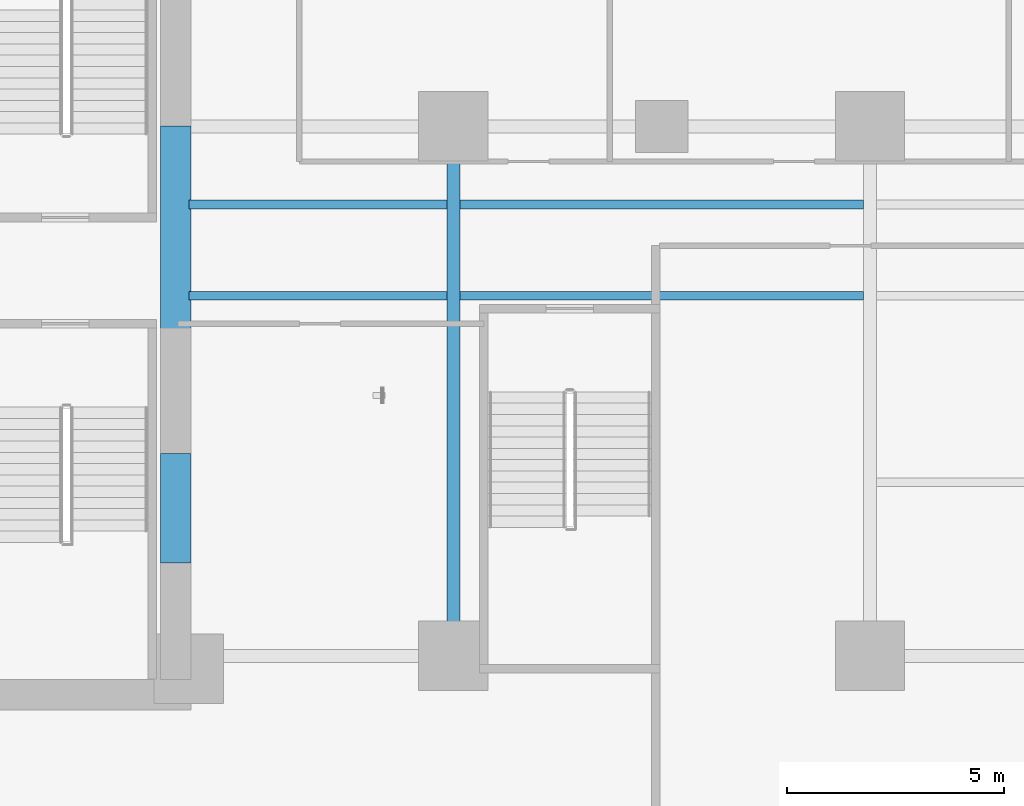
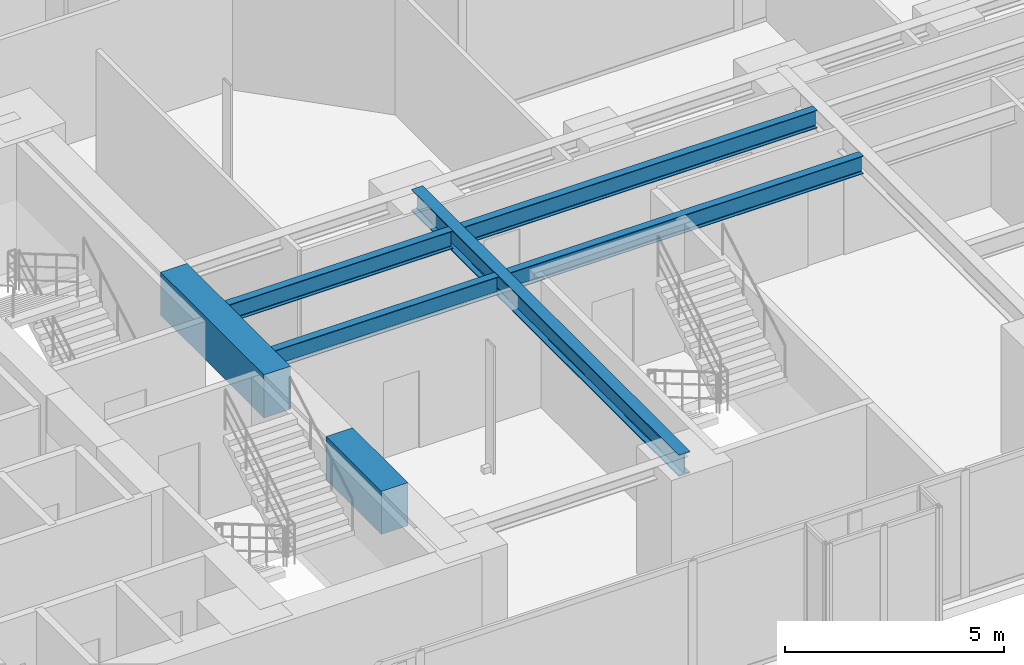
# One storey, part 5 of 26: 7 beams.
"""IFC4 building model written with IfcOpenShell, lengths in metres."""

from ifc_helpers import new_model, si_unit, direction, frame, origin, origin_2d, place, context, subcontext, project, spatial, rectangle, i_section, extrude, material, material_profile, profile_set, type_object, element, save


model = new_model("IFC4")

# Units and contexts
model_context = context("Model", 3, precision=1e-05, world=origin(), true_north=direction((0.0, 1.0)))
body_context = subcontext(model_context, "Body", "Model", "MODEL_VIEW")
ifc_project = project(units=[si_unit("LENGTHUNIT", "METRE"), si_unit("AREAUNIT", "SQUARE_METRE"), si_unit("VOLUMEUNIT", "CUBIC_METRE"), si_unit("PLANEANGLEUNIT", "RADIAN"), si_unit("MASSUNIT", "GRAM", prefix="KILO")], contexts=[model_context])

# Site, building, storey
site_placement = place(None, origin())
site = spatial("IfcSite", under=ifc_project, at=site_placement, CompositionType="ELEMENT")
building_placement = place(site_placement, origin())
building = spatial("IfcBuilding", under=site, at=building_placement, Name="Kolvaren Waterfront Exchange", CompositionType="ELEMENT")
storey_placement = place(building_placement, frame((0.0, 0.0, 48.60009765625)))
storey = spatial("IfcBuildingStorey", under=building, at=storey_placement, Name="L12", CompositionType="ELEMENT", Elevation=48.60009765625)

# Beams
ifc_material_1 = material(Name="Steel S355", Category="steel")
ifc_material_profile_1 = material_profile(ifc_material_1, i_section(OverallWidth=0.300048828125, OverallDepth=0.60009765625, WebThickness=0.015380859375, FlangeThickness=0.030029296875, FilletRadius=0.027099609375, at=origin_2d()), Name="HEB600")
ifc_profile_set_1 = profile_set([ifc_material_profile_1], Name="Steel S355")
beam_type_1 = type_object("IfcBeamType", Name="STR-BM-HEB600", PredefinedType="BEAM", material=ifc_profile_set_1)
beam_1_placement = place(storey_placement, frame((27.199951171875, 5.199951171875, 3.239990234375), z_axis=(0.0, 1.0, 0.0), x_axis=(-1.0, 0.0, 0.0)))
element("IfcBeam", 1, at=beam_1_placement, inside=storey, type_object=beam_type_1, Name="L12 east-arm transverse girder X27", PredefinedType="BEAM", context=body_context, shape_type="SweptSolid", body=[
    extrude(i_section(OverallWidth=0.300048828125, OverallDepth=0.60009765625, WebThickness=0.015380859375, FlangeThickness=0.030029296875, FilletRadius=0.027099609375, at=origin_2d()), origin(), (0.0, 0.0, 1.0), 12.199951171875),
])
ifc_material_profile_2 = material_profile(ifc_material_1, i_section(OverallWidth=0.199951171875, OverallDepth=0.5, WebThickness=0.01025390625, FlangeThickness=0.01611328125, FilletRadius=0.02099609375, at=origin_2d()), Name="IPE500")
ifc_profile_set_2 = profile_set([ifc_material_profile_2], Name="Steel S355")
beam_type_2 = type_object("IfcBeamType", Name="STR-BM-IPE500", PredefinedType="JOIST", material=ifc_profile_set_2)
for number, where, z_axis, x_axis, name in (
    (2, (21.10009765625, 13.5, 3.289794921875), (1.0, 0.0, 0.0), (0.0, 1.0, 0.0), "L12 east-arm composite joist 1A"),
    (3, (21.10009765625, 15.60009765625, 3.289794921875), (1.0, 0.0, 0.0), (0.0, 1.0, 0.0), "L12 east-arm composite joist 1C"),
):
    element("IfcBeam", number, at=place(storey_placement, frame(where, z_axis=z_axis, x_axis=x_axis)), inside=storey, type_object=beam_type_2, Name=name, PredefinedType="JOIST", context=body_context, shape_type="SweptSolid", body=[
        extrude(i_section(OverallWidth=0.199951171875, OverallDepth=0.5, WebThickness=0.01025390625, FlangeThickness=0.01611328125, FilletRadius=0.02099609375, at=origin_2d()), origin(), (0.0, 0.0, 1.0), 5.947998046875),
    ])
for number, where, z_axis, x_axis, name in (
    (4, (27.35205078125, 13.5, 3.289794921875), (1.0, 0.0, 0.0), (0.0, 1.0, 0.0), "L12 east-arm composite joist 2A"),
    (5, (27.35205078125, 15.60009765625, 3.289794921875), (1.0, 0.0, 0.0), (0.0, 1.0, 0.0), "L12 east-arm composite joist 2C"),
):
    element("IfcBeam", number, at=place(storey_placement, frame(where, z_axis=z_axis, x_axis=x_axis)), inside=storey, type_object=beam_type_2, Name=name, PredefinedType="JOIST", context=body_context, shape_type="SweptSolid", body=[
        extrude(i_section(OverallWidth=0.199951171875, OverallDepth=0.5, WebThickness=0.01025390625, FlangeThickness=0.01611328125, FilletRadius=0.02099609375, at=origin_2d()), origin(), (0.0, 0.0, 1.0), 9.2958984375),
    ])
ifc_material_2 = material(Name="Concrete C70/85", Category="concrete")
ifc_material_profile_3 = material_profile(ifc_material_2, rectangle(XDim=0.699951171875, YDim=1.199951171875, at=origin_2d()), Name="RC-CB-1200x700")
ifc_profile_set_3 = profile_set([ifc_material_profile_3], Name="Concrete C70/85")
beam_type_3 = type_object("IfcBeamType", Name="STR-CB-1200", PredefinedType="SPANDREL", material=ifc_profile_set_3)
beam_2_placement = place(storey_placement, frame((20.800048828125, 7.340087890625, 2.93994140625), z_axis=(0.0, 1.0, 0.0), x_axis=(-1.0, 0.0, 0.0)))
element("IfcBeam", 6, at=beam_2_placement, inside=storey, type_object=beam_type_3, Name="L12 core coupling beam 1", PredefinedType="SPANDREL", context=body_context, shape_type="SweptSolid", body=[
    extrude(rectangle(XDim=0.699951171875, YDim=1.199951171875, at=origin_2d()), origin(), (0.0, 0.0, 1.0), 2.52001953125),
])
beam_3_placement = place(storey_placement, frame((20.800048828125, 12.68994140625, 2.93994140625), z_axis=(0.0, 1.0, 0.0), x_axis=(-1.0, 0.0, 0.0)))
element("IfcBeam", 7, at=beam_3_placement, inside=storey, type_object=beam_type_3, Name="L12 core coupling beam 2", PredefinedType="SPANDREL", context=body_context, shape_type="SweptSolid", body=[
    extrude(rectangle(XDim=0.699951171875, YDim=1.199951171875, at=origin_2d()), origin(), (0.0, 0.0, 1.0), 4.719970703125),
])

save(model, "model.ifc")
